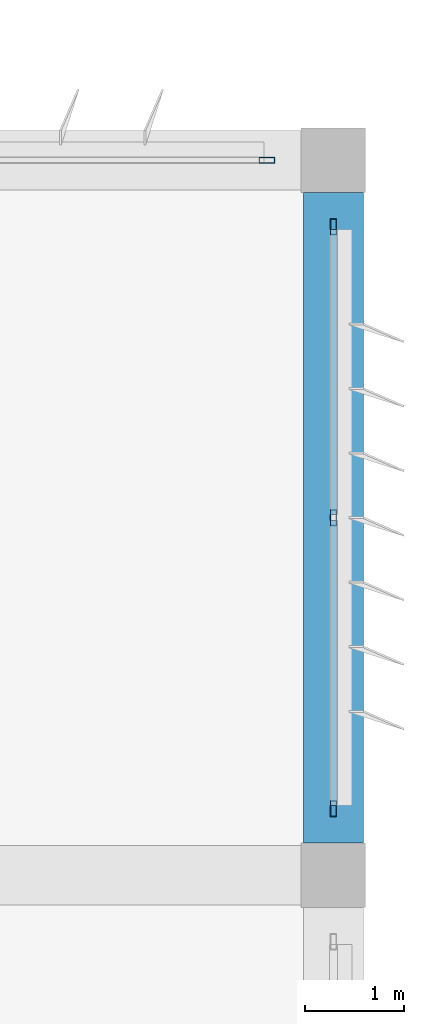
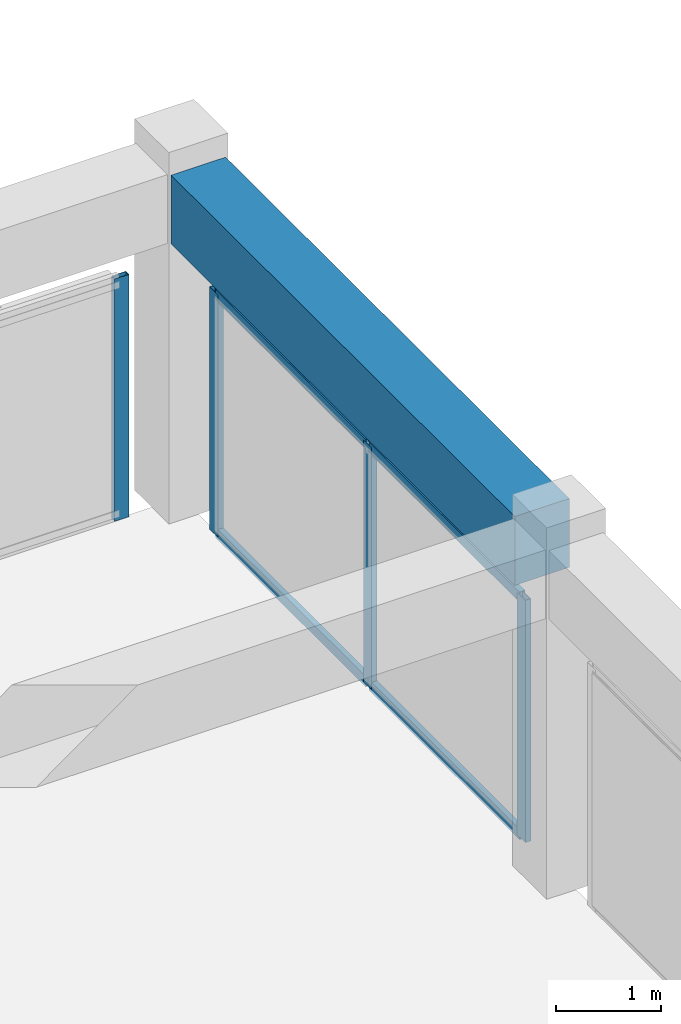
# One storey, part 30 of 53: 8 members, 1 beam, 2 elements without a shape of their own.
"""IFC4 building model written with IfcOpenShell, lengths in metres."""

from ifc_helpers import new_model, si_unit, direction, frame, origin, origin_2d, place, context, subcontext, project, spatial, rectangle, hollow_rectangle, extrude, material, material_profile, profile_set, type_object, element, aggregate, save


model = new_model("IFC4")

# Units and contexts
model_context = context("Model", 3, precision=1e-05, world=origin(), true_north=direction((0.0, 1.0)))
body_context = subcontext(model_context, "Body", "Model", "MODEL_VIEW")
ifc_project = project(units=[si_unit("LENGTHUNIT", "METRE"), si_unit("AREAUNIT", "SQUARE_METRE"), si_unit("VOLUMEUNIT", "CUBIC_METRE"), si_unit("PLANEANGLEUNIT", "RADIAN"), si_unit("MASSUNIT", "GRAM", prefix="KILO")], contexts=[model_context])

# Site, building, storey
site_placement = place(None, origin())
site = spatial("IfcSite", under=ifc_project, at=site_placement, CompositionType="ELEMENT")
building_placement = place(site_placement, origin())
building = spatial("IfcBuilding", under=site, at=building_placement, Name="Kazehaya Institute of Natural Sciences", CompositionType="ELEMENT")
storey_placement = place(building_placement, frame((0.0, 0.0, 33.300048828125)))
storey = spatial("IfcBuildingStorey", under=building, at=storey_placement, Name="L07", CompositionType="ELEMENT", Elevation=33.300048828125)

# Beam
ifc_material_1 = material(Name="Concrete Fc36", Category="concrete")
ifc_material_profile_1 = material_profile(ifc_material_1, rectangle(XDim=0.60009765625, YDim=0.800048828125, at=origin_2d()), Name="RC-600x800")
ifc_profile_set_1 = profile_set([ifc_material_profile_1], Name="Concrete Fc36")
beam_type = type_object("IfcBeamType", Name="BM-G-600x800", PredefinedType="BEAM", material=ifc_profile_set_1)
beam_placement = place(storey_placement, frame((119.39990234375, 28.72509765625, 3.64990234375), z_axis=(0.0, 1.0, 0.0), x_axis=(-1.0, 0.0, 0.0)))
element("IfcBeam", 1, at=beam_placement, inside=storey, type_object=beam_type, Name="L07 primary Y girder BMY-L07-1194-284", PredefinedType="BEAM", context=body_context, shape_type="SweptSolid", body=[
    extrude(rectangle(XDim=0.60009765625, YDim=0.800048828125, at=origin_2d()), origin(), (0.0, 0.0, 1.0), 6.5498046875),
])

# Curtain wall, member
ifc_material_2 = material(Name="Aluminium alloy A6063S-T5", Category="aluminium")
curtain_wall_type_1 = type_object("IfcCurtainWallType", Name="CW-SYS-05", PredefinedType="NOTDEFINED", material=ifc_material_2)
curtain_wall_1_placement = place(storey_placement, origin())
curtain_wall_1 = element("IfcCurtainWall", 2, at=curtain_wall_1_placement, inside=storey, type_object=curtain_wall_type_1, Name="L07 unitised curtain wall CW-L07-165", PredefinedType="NOTDEFINED")
ifc_material_profile_2 = material_profile(ifc_material_2, hollow_rectangle(XDim=0.06005859375, YDim=0.159912109375, WallThickness=0.00390625, at=origin_2d()), Name="ALU-60x160x4")
ifc_profile_set_2 = profile_set([ifc_material_profile_2], Name="Aluminium alloy A6063S-T5")
member_type_1 = type_object("IfcMemberType", Name="CWM-160", PredefinedType="MULLION", material=ifc_profile_set_2)
member_1_placement = place(storey_placement, frame((118.72998046875, 35.60009765625, 0.0), z_axis=(0.0, 0.0, 1.0), x_axis=(0.0, 1.0, 0.0)))
member_1 = element("IfcMember", 3, at=member_1_placement, type_object=member_type_1, Name="CW05 mullion 3", PredefinedType="MULLION", context=body_context, shape_type="SweptSolid", body=[
    extrude(hollow_rectangle(XDim=0.06005859375, YDim=0.159912109375, WallThickness=0.00390625, at=origin_2d()), origin(), (0.0, 0.0, 1.0), 2.820068359375),
])
aggregate(curtain_wall_1, [member_1])

# Curtain wall, members
curtain_wall_type_2 = type_object("IfcCurtainWallType", Name="CW-SYS-10", PredefinedType="NOTDEFINED", material=ifc_material_2)
curtain_wall_2_placement = place(storey_placement, origin())
curtain_wall_2 = element("IfcCurtainWall", 4, at=curtain_wall_2_placement, inside=storey, type_object=curtain_wall_type_2, Name="L07 unitised curtain wall CW-L07-175", PredefinedType="NOTDEFINED")
member_2_placement = place(storey_placement, frame((119.39990234375, 34.929931640625, 0.0), z_axis=(0.0, 0.0, 1.0), x_axis=(1.0, 0.0, 0.0)))
member_2 = element("IfcMember", 5, at=member_2_placement, type_object=member_type_1, Name="CW10 mullion 1", PredefinedType="MULLION", context=body_context, shape_type="SweptSolid", body=[
    extrude(hollow_rectangle(XDim=0.06005859375, YDim=0.159912109375, WallThickness=0.00390625, at=origin_2d()), origin(), (0.0, 0.0, 1.0), 2.820068359375),
])
member_3_placement = place(storey_placement, frame((119.39990234375, 32.0, 0.0), z_axis=(0.0, 0.0, 1.0), x_axis=(1.0, 0.0, 0.0)))
member_3 = element("IfcMember", 6, at=member_3_placement, type_object=member_type_1, Name="CW10 mullion 2", PredefinedType="MULLION", context=body_context, shape_type="SweptSolid", body=[
    extrude(hollow_rectangle(XDim=0.06005859375, YDim=0.159912109375, WallThickness=0.00390625, at=origin_2d()), origin(), (0.0, 0.0, 1.0), 2.820068359375),
])
member_4_placement = place(storey_placement, frame((119.39990234375, 29.070068359375, 0.0), z_axis=(0.0, 0.0, 1.0), x_axis=(1.0, 0.0, 0.0)))
member_4 = element("IfcMember", 7, at=member_4_placement, type_object=member_type_1, Name="CW10 mullion 3", PredefinedType="MULLION", context=body_context, shape_type="SweptSolid", body=[
    extrude(hollow_rectangle(XDim=0.06005859375, YDim=0.159912109375, WallThickness=0.00390625, at=origin_2d()), origin(), (0.0, 0.0, 1.0), 2.820068359375),
])
ifc_material_profile_3 = material_profile(ifc_material_2, hollow_rectangle(XDim=0.06005859375, YDim=0.1201171875, WallThickness=0.00341796875, at=origin_2d()), Name="ALU-60x120x3.5")
ifc_profile_set_3 = profile_set([ifc_material_profile_3], Name="Aluminium alloy A6063S-T5")
member_type_2 = type_object("IfcMemberType", Name="CWT-120", PredefinedType="USERDEFINED", material=ifc_profile_set_3)
member_5_placement = place(storey_placement, frame((119.39990234375, 34.89990234375, 0.030029296875), z_axis=(0.0, -1.0, 0.0), x_axis=(1.0, 0.0, 0.0)))
member_5 = element("IfcMember", 8, at=member_5_placement, type_object=member_type_2, Name="CW10 transom 1.1", ObjectType="TRANSOM", PredefinedType="USERDEFINED", context=body_context, shape_type="SweptSolid", body=[
    extrude(hollow_rectangle(XDim=0.06005859375, YDim=0.1201171875, WallThickness=0.00341796875, at=origin_2d()), origin(), (0.0, 0.0, 1.0), 2.869873046875),
])
member_6_placement = place(storey_placement, frame((119.39990234375, 34.89990234375, 2.7900390625), z_axis=(0.0, -1.0, 0.0), x_axis=(1.0, 0.0, 0.0)))
member_6 = element("IfcMember", 9, at=member_6_placement, type_object=member_type_2, Name="CW10 transom 1.2", ObjectType="TRANSOM", PredefinedType="USERDEFINED", context=body_context, shape_type="SweptSolid", body=[
    extrude(hollow_rectangle(XDim=0.06005859375, YDim=0.1201171875, WallThickness=0.00341796875, at=origin_2d()), origin(), (0.0, 0.0, 1.0), 2.869873046875),
])
member_7_placement = place(storey_placement, frame((119.39990234375, 31.969970703125, 0.030029296875), z_axis=(0.0, -1.0, 0.0), x_axis=(1.0, 0.0, 0.0)))
member_7 = element("IfcMember", 10, at=member_7_placement, type_object=member_type_2, Name="CW10 transom 2.1", ObjectType="TRANSOM", PredefinedType="USERDEFINED", context=body_context, shape_type="SweptSolid", body=[
    extrude(hollow_rectangle(XDim=0.06005859375, YDim=0.1201171875, WallThickness=0.00341796875, at=origin_2d()), origin(), (0.0, 0.0, 1.0), 2.869873046875),
])
member_8_placement = place(storey_placement, frame((119.39990234375, 31.969970703125, 2.7900390625), z_axis=(0.0, -1.0, 0.0), x_axis=(1.0, 0.0, 0.0)))
member_8 = element("IfcMember", 11, at=member_8_placement, type_object=member_type_2, Name="CW10 transom 2.2", ObjectType="TRANSOM", PredefinedType="USERDEFINED", context=body_context, shape_type="SweptSolid", body=[
    extrude(hollow_rectangle(XDim=0.06005859375, YDim=0.1201171875, WallThickness=0.00341796875, at=origin_2d()), origin(), (0.0, 0.0, 1.0), 2.869873046875),
])
aggregate(curtain_wall_2, [member_2, member_3, member_4, member_5, member_6, member_7, member_8])

save(model, "model.ifc")
